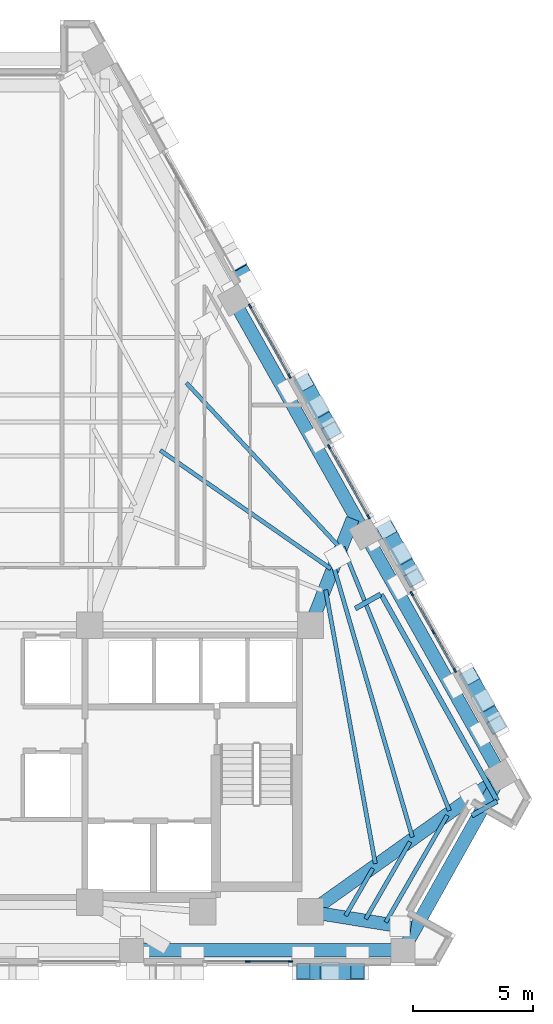
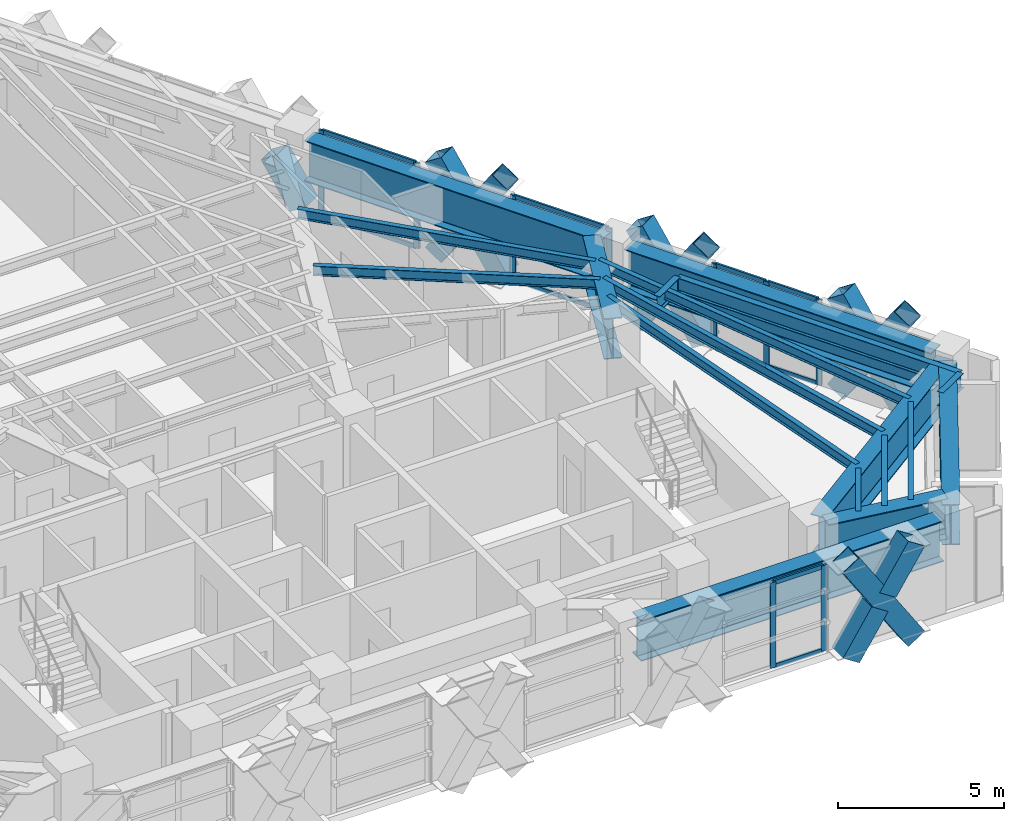
# One storey, part 4 of 13: 32 members, 18 beams, 4 elements without a shape of their own.
"""IFC4 building model written with IfcOpenShell, lengths in metres."""

from ifc_helpers import new_model, si_unit, direction, frame, origin, origin_2d, place, context, subcontext, project, spatial, rectangle, hollow_rectangle, i_section, extrude, material, material_profile, profile_set, type_object, element, aggregate, save


model = new_model("IFC4")

# Units and contexts
model_context = context("Model", 3, precision=1e-05, world=origin(), true_north=direction((0.0, 1.0)))
body_context = subcontext(model_context, "Body", "Model", "MODEL_VIEW")
ifc_project = project(units=[si_unit("LENGTHUNIT", "METRE"), si_unit("AREAUNIT", "SQUARE_METRE"), si_unit("VOLUMEUNIT", "CUBIC_METRE"), si_unit("PLANEANGLEUNIT", "RADIAN"), si_unit("MASSUNIT", "GRAM", prefix="KILO")], contexts=[model_context])

# Site, building, storey
site_placement = place(None, origin())
site = spatial("IfcSite", under=ifc_project, at=site_placement, CompositionType="ELEMENT")
building_placement = place(site_placement, origin())
building = spatial("IfcBuilding", under=site, at=building_placement, Name="Quenlor Broadcast Tower", CompositionType="ELEMENT")
storey_placement = place(building_placement, frame((0.0, 0.0, 175.5)))
storey = spatial("IfcBuildingStorey", under=building, at=storey_placement, Name="L48", CompositionType="ELEMENT", Elevation=175.5)

# Curtain wall, members
ifc_material_1 = material(Name="Architectural Terracotta and Low-E Glazing", Category="masonry")
curtain_wall_type = type_object("IfcCurtainWallType", Name="Unitised Terracotta Curtain Wall System Z3", PredefinedType="NOTDEFINED", material=ifc_material_1)
curtain_wall_1_placement = place(storey_placement, origin())
curtain_wall_1 = element("IfcCurtainWall", 1, at=curtain_wall_1_placement, inside=storey, type_object=curtain_wall_type, Name="L48 Curtain Wall CW3 (L48-SA-G1)", PredefinedType="NOTDEFINED")
ifc_material_2 = material(Name="Aluminium 6063-T6", Category="aluminium")
ifc_material_profile_1 = material_profile(ifc_material_2, rectangle(XDim=0.070068359375, YDim=0.18994140625, at=origin_2d()))
ifc_profile_set_1 = profile_set([ifc_material_profile_1], Name="Aluminium 6063-T6 MULL70x190")
member_type_1 = type_object("IfcMemberType", Name="CW3 Aluminium Mullion MULL_CW3", PredefinedType="MULLION", material=ifc_profile_set_1)
member_1_placement = place(storey_placement, frame((12.114013671875, -18.824951171875, 0.0), z_axis=(0.0, 0.0, 1.0), x_axis=(0.0, -1.0, 0.0)))
member_1 = element("IfcMember", 2, at=member_1_placement, type_object=member_type_1, Name="CW3 mullion 1", PredefinedType="MULLION", context=body_context, shape_type="SweptSolid", body=[
    extrude(rectangle(XDim=0.070068359375, YDim=0.18994140625, at=origin_2d()), origin(), (0.0, 0.0, 1.0), 3.139892578125),
])
member_2_placement = place(storey_placement, frame((10.33203125, -18.824951171875, 0.0), z_axis=(0.0, 0.0, 1.0), x_axis=(0.0, -1.0, 0.0)))
member_2 = element("IfcMember", 3, at=member_2_placement, type_object=member_type_1, Name="CW3 mullion 2", PredefinedType="MULLION", context=body_context, shape_type="SweptSolid", body=[
    extrude(rectangle(XDim=0.070068359375, YDim=0.18994140625, at=origin_2d()), origin(), (0.0, 0.0, 1.0), 3.139892578125),
])

curtain_wall_2_placement = place(storey_placement, origin())
curtain_wall_2 = element("IfcCurtainWall", 4, at=curtain_wall_2_placement, inside=storey, type_object=curtain_wall_type, Name="L48 Curtain Wall CW3 (L48-NEC-G1)", PredefinedType="NOTDEFINED")
member_3_placement = place(storey_placement, frame((17.17138671875, -3.48388671875, 0.0), z_axis=(0.0, 0.0, 1.0), x_axis=(0.871576967495, 0.490258696743, 0.0)))
member_3 = element("IfcMember", 5, at=member_3_placement, type_object=member_type_1, Name="CW3 mullion 1", PredefinedType="MULLION", context=body_context, shape_type="SweptSolid", body=[
    extrude(rectangle(XDim=0.070068359375, YDim=0.18994140625, at=origin_2d()), origin(), (0.0, 0.0, 1.0), 3.139892578125),
])
member_4_placement = place(storey_placement, frame((18.069580078125, -5.080810546875, 0.0), z_axis=(0.0, 0.0, 1.0), x_axis=(0.871576967495, 0.490258696743, 0.0)))
member_4 = element("IfcMember", 6, at=member_4_placement, type_object=member_type_1, Name="CW3 mullion 2", PredefinedType="MULLION", context=body_context, shape_type="SweptSolid", body=[
    extrude(rectangle(XDim=0.070068359375, YDim=0.18994140625, at=origin_2d()), origin(), (0.0, 0.0, 1.0), 3.139892578125),
])
member_5_placement = place(storey_placement, frame((18.9677734375, -6.677490234375, 0.0), z_axis=(0.0, 0.0, 1.0), x_axis=(0.871576967495, 0.490258696743, 0.0)))
member_5 = element("IfcMember", 7, at=member_5_placement, type_object=member_type_1, Name="CW3 mullion 3", PredefinedType="MULLION", context=body_context, shape_type="SweptSolid", body=[
    extrude(rectangle(XDim=0.070068359375, YDim=0.18994140625, at=origin_2d()), origin(), (0.0, 0.0, 1.0), 3.139892578125),
])

curtain_wall_3_placement = place(storey_placement, origin())
curtain_wall_3 = element("IfcCurtainWall", 8, at=curtain_wall_3_placement, inside=storey, type_object=curtain_wall_type, Name="L48 Curtain Wall CW3 (L48-NE-G1)", PredefinedType="NOTDEFINED")
member_6_placement = place(storey_placement, frame((10.428955078125, 8.50244140625, 0.0), z_axis=(0.0, 0.0, 1.0), x_axis=(0.871578660222, 0.490255687418, 0.0)))
member_6 = element("IfcMember", 9, at=member_6_placement, type_object=member_type_1, Name="CW3 mullion 1", PredefinedType="MULLION", context=body_context, shape_type="SweptSolid", body=[
    extrude(rectangle(XDim=0.070068359375, YDim=0.18994140625, at=origin_2d()), origin(), (0.0, 0.0, 1.0), 3.139892578125),
])
member_7_placement = place(storey_placement, frame((12.071533203125, 5.582275390625, 0.0), z_axis=(0.0, 0.0, 1.0), x_axis=(0.871578660222, 0.490255687418, 0.0)))
member_7 = element("IfcMember", 10, at=member_7_placement, type_object=member_type_1, Name="CW3 mullion 2", PredefinedType="MULLION", context=body_context, shape_type="SweptSolid", body=[
    extrude(rectangle(XDim=0.070068359375, YDim=0.18994140625, at=origin_2d()), origin(), (0.0, 0.0, 1.0), 3.139892578125),
])

curtain_wall_4_placement = place(storey_placement, origin())
curtain_wall_4 = element("IfcCurtainWall", 11, at=curtain_wall_4_placement, inside=storey, type_object=curtain_wall_type, Name="L48 Curtain Wall CW3 (L48-NE-G2)", PredefinedType="NOTDEFINED")
member_8_placement = place(storey_placement, frame((13.723388671875, 2.64599609375, 0.0), z_axis=(0.0, 0.0, 1.0), x_axis=(0.871571633105, 0.490268180048, 0.0)))
member_8 = element("IfcMember", 12, at=member_8_placement, type_object=member_type_1, Name="CW3 mullion 1", PredefinedType="MULLION", context=body_context, shape_type="SweptSolid", body=[
    extrude(rectangle(XDim=0.070068359375, YDim=0.18994140625, at=origin_2d()), origin(), (0.0, 0.0, 1.0), 3.139892578125),
])
member_9_placement = place(storey_placement, frame((15.365966796875, -0.274169921875, 0.0), z_axis=(0.0, 0.0, 1.0), x_axis=(0.871571633105, 0.490268180048, 0.0)))
member_9 = element("IfcMember", 13, at=member_9_placement, type_object=member_type_1, Name="CW3 mullion 2", PredefinedType="MULLION", context=body_context, shape_type="SweptSolid", body=[
    extrude(rectangle(XDim=0.070068359375, YDim=0.18994140625, at=origin_2d()), origin(), (0.0, 0.0, 1.0), 3.139892578125),
])

# Member
ifc_material_3 = material(Name="Aluminium 6063-T6", Category="aluminium")
ifc_material_profile_2 = material_profile(ifc_material_3, rectangle(XDim=0.070068359375, YDim=0.155029296875, at=origin_2d()))
ifc_profile_set_2 = profile_set([ifc_material_profile_2], Name="Aluminium 6063-T6 TRAN70x155")
member_type_2 = type_object("IfcMemberType", Name="CW3 Aluminium Transom TRAN_CW3", PredefinedType="USERDEFINED", material=ifc_profile_set_2)
member_10_placement = place(storey_placement, frame((12.0791015625, -18.824951171875, 0.034912109375), z_axis=(-1.0, 0.0, 0.0), x_axis=(0.0, -1.0, 0.0)))
member_10 = element("IfcMember", 14, at=member_10_placement, type_object=member_type_2, Name="CW3 transom 1.1", ObjectType="TRANSOM", PredefinedType="USERDEFINED", context=body_context, shape_type="SweptSolid", body=[
    extrude(rectangle(XDim=0.070068359375, YDim=0.155029296875, at=origin_2d()), origin(), (0.0, 0.0, 1.0), 1.712158203125),
])

member_11_placement = place(storey_placement, frame((12.0791015625, -18.824951171875, 3.10498046875), z_axis=(-1.0, 0.0, 0.0), x_axis=(0.0, -1.0, 0.0)))
member_11 = element("IfcMember", 15, at=member_11_placement, type_object=member_type_2, Name="CW3 transom 1.2", ObjectType="TRANSOM", PredefinedType="USERDEFINED", context=body_context, shape_type="SweptSolid", body=[
    extrude(rectangle(XDim=0.070068359375, YDim=0.155029296875, at=origin_2d()), origin(), (0.0, 0.0, 1.0), 1.712158203125),
])

aggregate(curtain_wall_1, [member_1, member_2, member_10, member_11])

member_12_placement = place(storey_placement, frame((17.188720703125, -3.514404296875, 0.034912109375), z_axis=(0.490188879637, -0.871616235668, 0.0), x_axis=(0.871616235668, 0.490188879637, 0.0)))
member_12 = element("IfcMember", 16, at=member_12_placement, type_object=member_type_2, Name="CW3 transom 1.1", ObjectType="TRANSOM", PredefinedType="USERDEFINED", context=body_context, shape_type="SweptSolid", body=[
    extrude(rectangle(XDim=0.070068359375, YDim=0.155029296875, at=origin_2d()), origin(), (0.0, 0.0, 1.0), 1.76220703125),
])

member_13_placement = place(storey_placement, frame((17.188720703125, -3.514404296875, 3.10498046875), z_axis=(0.490188879637, -0.871616235668, 0.0), x_axis=(0.871616235668, 0.490188879637, 0.0)))
member_13 = element("IfcMember", 17, at=member_13_placement, type_object=member_type_2, Name="CW3 transom 1.2", ObjectType="TRANSOM", PredefinedType="USERDEFINED", context=body_context, shape_type="SweptSolid", body=[
    extrude(rectangle(XDim=0.070068359375, YDim=0.155029296875, at=origin_2d()), origin(), (0.0, 0.0, 1.0), 1.76220703125),
])

member_14_placement = place(storey_placement, frame((18.0869140625, -5.111083984375, 0.034912109375), z_axis=(0.490188879637, -0.871616235668, 0.0), x_axis=(0.871616235668, 0.490188879637, 0.0)))
member_14 = element("IfcMember", 18, at=member_14_placement, type_object=member_type_2, Name="CW3 transom 2.1", ObjectType="TRANSOM", PredefinedType="USERDEFINED", context=body_context, shape_type="SweptSolid", body=[
    extrude(rectangle(XDim=0.070068359375, YDim=0.155029296875, at=origin_2d()), origin(), (0.0, 0.0, 1.0), 1.76220703125),
])

member_15_placement = place(storey_placement, frame((18.0869140625, -5.111083984375, 3.10498046875), z_axis=(0.490188879637, -0.871616235668, 0.0), x_axis=(0.871616235668, 0.490188879637, 0.0)))
member_15 = element("IfcMember", 19, at=member_15_placement, type_object=member_type_2, Name="CW3 transom 2.2", ObjectType="TRANSOM", PredefinedType="USERDEFINED", context=body_context, shape_type="SweptSolid", body=[
    extrude(rectangle(XDim=0.070068359375, YDim=0.155029296875, at=origin_2d()), origin(), (0.0, 0.0, 1.0), 1.76220703125),
])

aggregate(curtain_wall_2, [member_3, member_4, member_5, member_12, member_13, member_14, member_15])

member_16_placement = place(storey_placement, frame((10.4462890625, 8.471923828125, 0.034912109375), z_axis=(0.490236504766, -0.871589450025, 0.0), x_axis=(0.871589450025, 0.490236504766, 0.0)))
member_16 = element("IfcMember", 20, at=member_16_placement, type_object=member_type_2, Name="CW3 transom 1.1", ObjectType="TRANSOM", PredefinedType="USERDEFINED", context=body_context, shape_type="SweptSolid", body=[
    extrude(rectangle(XDim=0.070068359375, YDim=0.155029296875, at=origin_2d()), origin(), (0.0, 0.0, 1.0), 3.2802734375),
])

member_17_placement = place(storey_placement, frame((10.4462890625, 8.471923828125, 3.10498046875), z_axis=(0.490236504766, -0.871589450025, 0.0), x_axis=(0.871589450025, 0.490236504766, 0.0)))
member_17 = element("IfcMember", 21, at=member_17_placement, type_object=member_type_2, Name="CW3 transom 1.2", ObjectType="TRANSOM", PredefinedType="USERDEFINED", context=body_context, shape_type="SweptSolid", body=[
    extrude(rectangle(XDim=0.070068359375, YDim=0.155029296875, at=origin_2d()), origin(), (0.0, 0.0, 1.0), 3.2802734375),
])

aggregate(curtain_wall_3, [member_6, member_7, member_16, member_17])

member_18_placement = place(storey_placement, frame((13.740478515625, 2.615478515625, 0.034912109375), z_axis=(0.490293039863, -0.871557648731, 0.0), x_axis=(0.871557648731, 0.490293039863, 0.0)))
member_18 = element("IfcMember", 22, at=member_18_placement, type_object=member_type_2, Name="CW3 transom 1.1", ObjectType="TRANSOM", PredefinedType="USERDEFINED", context=body_context, shape_type="SweptSolid", body=[
    extrude(rectangle(XDim=0.070068359375, YDim=0.155029296875, at=origin_2d()), origin(), (0.0, 0.0, 1.0), 3.280517578125),
])

member_19_placement = place(storey_placement, frame((13.740478515625, 2.615478515625, 3.10498046875), z_axis=(0.490293039863, -0.871557648731, 0.0), x_axis=(0.871557648731, 0.490293039863, 0.0)))
member_19 = element("IfcMember", 23, at=member_19_placement, type_object=member_type_2, Name="CW3 transom 1.2", ObjectType="TRANSOM", PredefinedType="USERDEFINED", context=body_context, shape_type="SweptSolid", body=[
    extrude(rectangle(XDim=0.070068359375, YDim=0.155029296875, at=origin_2d()), origin(), (0.0, 0.0, 1.0), 3.280517578125),
])

aggregate(curtain_wall_4, [member_8, member_9, member_18, member_19])

# Members
ifc_material_4 = material(Name="Steel S355", Category="steel")
ifc_material_profile_3 = material_profile(ifc_material_4, hollow_rectangle(XDim=0.679931640625, YDim=0.679931640625, WallThickness=0.02490234375, at=origin_2d()))
ifc_profile_set_3 = profile_set([ifc_material_profile_3], Name="Steel S355 RHS680x680x25")
member_type_3 = type_object("IfcMemberType", Name="Perimeter Diagonal Lattice Brace Z3-Z4 Steel S355 RHS680x25", PredefinedType="BRACE", material=ifc_profile_set_3)
member_20_placement = place(storey_placement, frame((14.91015625, -19.219970703125, -0.1201171875), z_axis=(-0.543860340502, 0.0, 0.839175744424), x_axis=(0.0, -1.0, 0.0)))
element("IfcMember", 24, at=member_20_placement, inside=storey, type_object=member_type_3, Name="L48 Perimeter Diamond Lattice S-C1XA", PredefinedType="BRACE", context=body_context, shape_type="SweptSolid", body=[
    extrude(hollow_rectangle(XDim=0.679931640625, YDim=0.679931640625, WallThickness=0.02490234375, at=origin_2d()), origin(), (0.0, 0.0, 1.0), 4.170654296875),
])
member_21_placement = place(storey_placement, frame((12.641845703125, -19.219970703125, -0.1201171875), z_axis=(0.543786168213, 0.0, 0.839223809994), x_axis=(0.0, 1.0, 0.0)))
element("IfcMember", 25, at=member_21_placement, inside=storey, type_object=member_type_3, Name="L48 Perimeter Diamond Lattice S-C1XB1", PredefinedType="BRACE", context=body_context, shape_type="SweptSolid", body=[
    extrude(hollow_rectangle(XDim=0.679931640625, YDim=0.679931640625, WallThickness=0.02490234375, at=origin_2d()), origin(), (0.0, 0.0, 1.0), 1.83544921875),
])
member_22_placement = place(storey_placement, frame((13.912109375, -19.219970703125, 1.83984375), z_axis=(0.543846878394, 0.0, 0.839184468911), x_axis=(0.0, 1.0, 0.0)))
element("IfcMember", 26, at=member_22_placement, inside=storey, type_object=member_type_3, Name="L48 Perimeter Diamond Lattice S-C1XB2", PredefinedType="BRACE", context=body_context, shape_type="SweptSolid", body=[
    extrude(hollow_rectangle(XDim=0.679931640625, YDim=0.679931640625, WallThickness=0.02490234375, at=origin_2d()), origin(), (0.0, 0.0, 1.0), 1.835205078125),
])
member_23_placement = place(storey_placement, frame((10.361572265625, 9.428466796875, -0.1201171875), z_axis=(-0.270633624024, 0.480906307989, 0.833958370954), x_axis=(-0.871479637717, -0.49043168846, 0.0)))
element("IfcMember", 27, at=member_23_placement, inside=storey, type_object=member_type_3, Name="L48 Perimeter Diamond Lattice NE-C2XB1", PredefinedType="BRACE", context=body_context, shape_type="SweptSolid", body=[
    extrude(hollow_rectangle(XDim=0.679931640625, YDim=0.679931640625, WallThickness=0.02490234375, at=origin_2d()), origin(), (0.0, 0.0, 1.0), 1.848388671875),
])
member_24_placement = place(storey_placement, frame((12.674072265625, 5.317138671875, -0.1201171875), z_axis=(0.270556764115, -0.480963948764, 0.833950068878), x_axis=(0.871564276035, 0.49028125881, 0.0)))
element("IfcMember", 28, at=member_24_placement, inside=storey, type_object=member_type_3, Name="L48 Perimeter Diamond Lattice NE-C3XA", PredefinedType="BRACE", context=body_context, shape_type="SweptSolid", body=[
    extrude(hollow_rectangle(XDim=0.679931640625, YDim=0.679931640625, WallThickness=0.02490234375, at=origin_2d()), origin(), (0.0, 0.0, 1.0), 4.19677734375),
])
member_25_placement = place(storey_placement, frame((13.8095703125, 3.298583984375, -0.1201171875), z_axis=(-0.270633624024, 0.480906307989, 0.833958370954), x_axis=(-0.871479637717, -0.49043168846, 0.0)))
element("IfcMember", 29, at=member_25_placement, inside=storey, type_object=member_type_3, Name="L48 Perimeter Diamond Lattice NE-C3XB1", PredefinedType="BRACE", context=body_context, shape_type="SweptSolid", body=[
    extrude(hollow_rectangle(XDim=0.679931640625, YDim=0.679931640625, WallThickness=0.02490234375, at=origin_2d()), origin(), (0.0, 0.0, 1.0), 1.848388671875),
])
member_26_placement = place(storey_placement, frame((13.17431640625, 4.427978515625, 1.83837890625), z_axis=(-0.270616433058, 0.481007832697, 0.833905396938), x_axis=(-0.871537189362, -0.490329407194, 0.0)))
element("IfcMember", 30, at=member_26_placement, inside=storey, type_object=member_type_3, Name="L48 Perimeter Diamond Lattice NE-C3XB2", PredefinedType="BRACE", context=body_context, shape_type="SweptSolid", body=[
    extrude(hollow_rectangle(XDim=0.679931640625, YDim=0.679931640625, WallThickness=0.02490234375, at=origin_2d()), origin(), (0.0, 0.0, 1.0), 1.8486328125),
])
member_27_placement = place(storey_placement, frame((16.1220703125, -0.812744140625, -0.1201171875), z_axis=(0.2705491942, -0.481008661973, 0.833926735766), x_axis=(0.871589611547, 0.490236217596, 0.0)))
element("IfcMember", 31, at=member_27_placement, inside=storey, type_object=member_type_3, Name="L48 Perimeter Diamond Lattice NE-C4XA", PredefinedType="BRACE", context=body_context, shape_type="SweptSolid", body=[
    extrude(hollow_rectangle(XDim=0.679931640625, YDim=0.679931640625, WallThickness=0.02490234375, at=origin_2d()), origin(), (0.0, 0.0, 1.0), 4.197021484375),
])
member_28_placement = place(storey_placement, frame((17.257568359375, -2.83154296875, -0.1201171875), z_axis=(-0.270494026149, 0.481025021111, 0.833935195853), x_axis=(-0.871639445711, -0.490147607034, 0.0)))
element("IfcMember", 32, at=member_28_placement, inside=storey, type_object=member_type_3, Name="L48 Perimeter Diamond Lattice NE-C4XB1", PredefinedType="BRACE", context=body_context, shape_type="SweptSolid", body=[
    extrude(hollow_rectangle(XDim=0.679931640625, YDim=0.679931640625, WallThickness=0.02490234375, at=origin_2d()), origin(), (0.0, 0.0, 1.0), 1.848388671875),
])
member_29_placement = place(storey_placement, frame((16.622314453125, -1.701904296875, 1.83837890625), z_axis=(-0.270616433058, 0.481007832697, 0.833905396938), x_axis=(-0.871537189362, -0.490329407194, 0.0)))
element("IfcMember", 33, at=member_29_placement, inside=storey, type_object=member_type_3, Name="L48 Perimeter Diamond Lattice NE-C4XB2", PredefinedType="BRACE", context=body_context, shape_type="SweptSolid", body=[
    extrude(hollow_rectangle(XDim=0.679931640625, YDim=0.679931640625, WallThickness=0.02490234375, at=origin_2d()), origin(), (0.0, 0.0, 1.0), 1.8486328125),
])
member_30_placement = place(storey_placement, frame((19.5703125, -6.942626953125, -0.1201171875), z_axis=(0.2705491942, -0.481008661973, 0.833926735766), x_axis=(0.871589611547, 0.490236217596, 0.0)))
element("IfcMember", 34, at=member_30_placement, inside=storey, type_object=member_type_3, Name="L48 Perimeter Diamond Lattice NE-C5XA", PredefinedType="BRACE", context=body_context, shape_type="SweptSolid", body=[
    extrude(hollow_rectangle(XDim=0.679931640625, YDim=0.679931640625, WallThickness=0.02490234375, at=origin_2d()), origin(), (0.0, 0.0, 1.0), 4.197021484375),
])
member_31_placement = place(storey_placement, frame((20.705810546875, -8.96142578125, -0.1201171875), z_axis=(-0.270616433058, 0.481007832697, 0.833905396938), x_axis=(-0.871537189362, -0.490329407194, 0.0)))
element("IfcMember", 35, at=member_31_placement, inside=storey, type_object=member_type_3, Name="L48 Perimeter Diamond Lattice NE-C5XB1", PredefinedType="BRACE", context=body_context, shape_type="SweptSolid", body=[
    extrude(hollow_rectangle(XDim=0.679931640625, YDim=0.679931640625, WallThickness=0.02490234375, at=origin_2d()), origin(), (0.0, 0.0, 1.0), 1.8486328125),
])
member_32_placement = place(storey_placement, frame((20.0703125, -7.831787109375, 1.83837890625), z_axis=(-0.270494026149, 0.481025021111, 0.833935195853), x_axis=(-0.871639445711, -0.490147607034, 0.0)))
element("IfcMember", 36, at=member_32_placement, inside=storey, type_object=member_type_3, Name="L48 Perimeter Diamond Lattice NE-C5XB2", PredefinedType="BRACE", context=body_context, shape_type="SweptSolid", body=[
    extrude(hollow_rectangle(XDim=0.679931640625, YDim=0.679931640625, WallThickness=0.02490234375, at=origin_2d()), origin(), (0.0, 0.0, 1.0), 1.848388671875),
])

# Beams
ifc_material_5 = material(Name="Steel S355", Category="steel")
ifc_material_profile_4 = material_profile(ifc_material_5, i_section(OverallWidth=0.208984375, OverallDepth=0.532958984375, WebThickness=0.01025390625, FlangeThickness=0.015625, FilletRadius=0.013916015625, at=origin_2d()))
ifc_profile_set_4 = profile_set([ifc_material_profile_4], Name="Steel S355 530UB92.4")
beam_type_1 = type_object("IfcBeamType", Name="Perimeter Spandrel Beam Z1 Steel S355 530UB92.4", PredefinedType="SPANDREL", material=ifc_profile_set_4)
for number, where, z_axis, x_axis, name in (
    (37, (14.81640625, -4.10205078125, 2.87353515625), (0.871575537125, 0.490261239633, 0.0), (-0.490261239633, 0.871575537125, 0.0), "L48 Lattice Sill Radial Tie NEB1"),
    (38, (19.671875, -12.734375, 2.87353515625), (0.871575537125, 0.490261239633, 0.0), (-0.490261239633, 0.871575537125, 0.0), "L48 Lattice Sill Radial Tie NEB2"),
):
    element("IfcBeam", number, at=place(storey_placement, frame(where, z_axis=z_axis, x_axis=x_axis)), inside=storey, type_object=beam_type_1, Name=name, PredefinedType="SPANDREL", context=body_context, shape_type="SweptSolid", body=[
        extrude(i_section(OverallWidth=0.208984375, OverallDepth=0.532958984375, WebThickness=0.01025390625, FlangeThickness=0.015625, FilletRadius=0.013916015625, at=origin_2d()), origin(), (0.0, 0.0, 1.0), 1.210205078125),
    ])
beam_1_placement = place(storey_placement, frame((15.898193359375, -3.5166015625, 2.87353515625), z_axis=(0.490253014007, -0.871580163988, 0.0), x_axis=(0.871580163988, 0.490253014007, 0.0)))
element("IfcBeam", 39, at=beam_1_placement, inside=storey, type_object=beam_type_1, Name="L48 Lattice Sill Girder NEB", PredefinedType="SPANDREL", context=body_context, shape_type="SweptSolid", body=[
    extrude(i_section(OverallWidth=0.208984375, OverallDepth=0.532958984375, WebThickness=0.01025390625, FlangeThickness=0.015625, FilletRadius=0.013916015625, at=origin_2d()), origin(), (0.0, 0.0, 1.0), 9.8642578125),
])
ifc_material_6 = material(Name="Steel S355", Category="steel")
ifc_material_profile_5 = material_profile(ifc_material_6, i_section(OverallWidth=0.172119140625, OverallDepth=0.358642578125, WebThickness=0.008056640625, FlangeThickness=0.012939453125, FilletRadius=0.011474609375, at=origin_2d()))
ifc_profile_set_5 = profile_set([ifc_material_profile_5], Name="Steel S355 360UB56.7")
beam_type_2 = type_object("IfcBeamType", Name="Tower Composite Joist Z2-Z3 Steel S355 360UB56.7", PredefinedType="JOIST", material=ifc_profile_set_5)
beam_2_placement = place(storey_placement, frame((13.798583984375, -2.445068359375, 2.960693359375), z_axis=(-0.821376568114, 0.570386301864, 0.0), x_axis=(-0.570386301864, -0.821376568114, 0.0)))
element("IfcBeam", 40, at=beam_2_placement, inside=storey, type_object=beam_type_2, Name="L48 Secondary Composite Joist 11", PredefinedType="JOIST", context=body_context, shape_type="SweptSolid", body=[
    extrude(i_section(OverallWidth=0.172119140625, OverallDepth=0.358642578125, WebThickness=0.008056640625, FlangeThickness=0.012939453125, FilletRadius=0.011474609375, at=origin_2d()), origin(), (0.0, 0.0, 1.0), 8.661865234375),
])
beam_3_placement = place(storey_placement, frame((14.161376953125, -1.5439453125, 2.960693359375), z_axis=(-0.681865761727, 0.731477329098, 0.0), x_axis=(-0.731477329098, -0.681865761727, 0.0)))
element("IfcBeam", 41, at=beam_3_placement, inside=storey, type_object=beam_type_2, Name="L48 Secondary Composite Joist 12", PredefinedType="JOIST", context=body_context, shape_type="SweptSolid", body=[
    extrude(i_section(OverallWidth=0.172119140625, OverallDepth=0.358642578125, WebThickness=0.008056640625, FlangeThickness=0.012939453125, FilletRadius=0.011474609375, at=origin_2d()), origin(), (0.0, 0.0, 1.0), 9.36474609375),
])
beam_4_placement = place(storey_placement, frame((15.65185546875, -14.735595703125, 2.960693359375), z_axis=(-0.178674258283, 0.983908283036, 0.0), x_axis=(-0.983908283036, -0.178674258283, 0.0)))
element("IfcBeam", 42, at=beam_4_placement, inside=storey, type_object=beam_type_2, Name="L48 Secondary Composite Joist 16", PredefinedType="JOIST", context=body_context, shape_type="SweptSolid", body=[
    extrude(i_section(OverallWidth=0.172119140625, OverallDepth=0.358642578125, WebThickness=0.008056640625, FlangeThickness=0.012939453125, FilletRadius=0.011474609375, at=origin_2d()), origin(), (0.0, 0.0, 1.0), 11.597900390625),
])
beam_5_placement = place(storey_placement, frame((17.19580078125, -13.631103515625, 2.960693359375), z_axis=(-0.279253029603, 0.960217551109, 0.0), x_axis=(-0.960217551109, -0.279253029603, 0.0)))
element("IfcBeam", 43, at=beam_5_placement, inside=storey, type_object=beam_type_2, Name="L48 Secondary Composite Joist 17", PredefinedType="JOIST", context=body_context, shape_type="SweptSolid", body=[
    extrude(i_section(OverallWidth=0.172119140625, OverallDepth=0.358642578125, WebThickness=0.008056640625, FlangeThickness=0.012939453125, FilletRadius=0.011474609375, at=origin_2d()), origin(), (0.0, 0.0, 1.0), 11.660888671875),
])
beam_6_placement = place(storey_placement, frame((18.740234375, -12.527587890625, 2.960693359375), z_axis=(-0.374873206921, 0.927076091123, 0.0), x_axis=(-0.927076091123, -0.374873206921, 0.0)))
element("IfcBeam", 44, at=beam_6_placement, inside=storey, type_object=beam_type_2, Name="L48 Secondary Composite Joist 18", PredefinedType="JOIST", context=body_context, shape_type="SweptSolid", body=[
    extrude(i_section(OverallWidth=0.172119140625, OverallDepth=0.358642578125, WebThickness=0.008056640625, FlangeThickness=0.012939453125, FilletRadius=0.011474609375, at=origin_2d()), origin(), (0.0, 0.0, 1.0), 11.848388671875),
])
beam_7_placement = place(storey_placement, frame((14.412109375, -16.90966796875, 2.960693359375), z_axis=(0.499521162085, 0.866301684536, 0.0), x_axis=(-0.866301684536, 0.499521162085, 0.0)))
element("IfcBeam", 45, at=beam_7_placement, inside=storey, type_object=beam_type_2, Name="L48 Secondary Composite Joist 22", PredefinedType="JOIST", context=body_context, shape_type="SweptSolid", body=[
    extrude(i_section(OverallWidth=0.172119140625, OverallDepth=0.358642578125, WebThickness=0.008056640625, FlangeThickness=0.012939453125, FilletRadius=0.011474609375, at=origin_2d()), origin(), (0.0, 0.0, 1.0), 2.275146484375),
])
beam_8_placement = place(storey_placement, frame((15.248779296875, -17.04443359375, 2.960693359375), z_axis=(0.499503898211, 0.866311638888, 0.0), x_axis=(-0.866311638888, 0.499503898211, 0.0)))
element("IfcBeam", 46, at=beam_8_placement, inside=storey, type_object=beam_type_2, Name="L48 Secondary Composite Joist 23", PredefinedType="JOIST", context=body_context, shape_type="SweptSolid", body=[
    extrude(i_section(OverallWidth=0.172119140625, OverallDepth=0.358642578125, WebThickness=0.008056640625, FlangeThickness=0.012939453125, FilletRadius=0.011474609375, at=origin_2d()), origin(), (0.0, 0.0, 1.0), 3.707275390625),
])
beam_9_placement = place(storey_placement, frame((16.08544921875, -17.17919921875, 2.960693359375), z_axis=(0.499475700835, 0.866327896512, 0.0), x_axis=(-0.866327896512, 0.499475700835, 0.0)))
element("IfcBeam", 47, at=beam_9_placement, inside=storey, type_object=beam_type_2, Name="L48 Secondary Composite Joist 24", PredefinedType="JOIST", context=body_context, shape_type="SweptSolid", body=[
    extrude(i_section(OverallWidth=0.172119140625, OverallDepth=0.358642578125, WebThickness=0.008056640625, FlangeThickness=0.012939453125, FilletRadius=0.011474609375, at=origin_2d()), origin(), (0.0, 0.0, 1.0), 5.1396484375),
])
ifc_material_7 = material(Name="Steel S355", Category="steel")
ifc_material_profile_6 = material_profile(ifc_material_7, i_section(OverallWidth=0.550048828125, OverallDepth=1.5, WebThickness=0.02197265625, FlangeThickness=0.034912109375, FilletRadius=0.01806640625, at=origin_2d()))
ifc_profile_set_6 = profile_set([ifc_material_profile_6], Name="Steel S355 1500TG510")
beam_type_3 = type_object("IfcBeamType", Name="Zone Setback Transfer Girder Steel S355 1500", PredefinedType="BEAM", material=ifc_profile_set_6)
beam_10_placement = place(storey_placement, frame((5.89111328125, -18.35009765625, 2.389892578125), z_axis=(1.0, 0.0, 0.0), x_axis=(0.0, 1.0, 0.0)))
element("IfcBeam", 48, at=beam_10_placement, inside=storey, type_object=beam_type_3, Name="L48 Spandrel Beam S3-S4", PredefinedType="BEAM", context=body_context, shape_type="SweptSolid", body=[
    extrude(i_section(OverallWidth=0.550048828125, OverallDepth=1.5, WebThickness=0.02197265625, FlangeThickness=0.034912109375, FilletRadius=0.01806640625, at=origin_2d()), origin(), (0.0, 0.0, 1.0), 10.50732421875),
])
beam_11_placement = place(storey_placement, frame((17.008544921875, -17.9921875, 2.389892578125), z_axis=(0.488298439934, 0.872676706208, 0.0), x_axis=(-0.872676706208, 0.488298439934, 0.0)))
element("IfcBeam", 49, at=beam_11_placement, inside=storey, type_object=beam_type_3, Name="L48 Spandrel Beam S4-NE1", PredefinedType="BEAM", context=body_context, shape_type="SweptSolid", body=[
    extrude(i_section(OverallWidth=0.550048828125, OverallDepth=1.5, WebThickness=0.02197265625, FlangeThickness=0.034912109375, FilletRadius=0.01806640625, at=origin_2d()), origin(), (0.0, 0.0, 1.0), 7.5341796875),
])
beam_12_placement = place(storey_placement, frame((20.686767578125, -10.7021484375, 2.389892578125), z_axis=(-0.490257999604, 0.871577359633, 0.0), x_axis=(-0.871577359633, -0.490257999604, 0.0)))
element("IfcBeam", 50, at=beam_12_placement, inside=storey, type_object=beam_type_3, Name="L48 Spandrel Beam NE1-NE2", PredefinedType="BEAM", context=body_context, shape_type="SweptSolid", body=[
    extrude(i_section(OverallWidth=0.550048828125, OverallDepth=1.5, WebThickness=0.02197265625, FlangeThickness=0.034912109375, FilletRadius=0.01806640625, at=origin_2d()), origin(), (0.0, 0.0, 1.0), 10.732666015625),
])
beam_13_placement = place(storey_placement, frame((15.02294921875, -0.63330078125, 2.389892578125), z_axis=(-0.490252288562, 0.871580572041, 0.0), x_axis=(-0.871580572041, -0.490252288562, 0.0)))
element("IfcBeam", 51, at=beam_13_placement, inside=storey, type_object=beam_type_3, Name="L48 Spandrel Beam NE2-NE3", PredefinedType="BEAM", context=body_context, shape_type="SweptSolid", body=[
    extrude(i_section(OverallWidth=0.550048828125, OverallDepth=1.5, WebThickness=0.02197265625, FlangeThickness=0.034912109375, FilletRadius=0.01806640625, at=origin_2d()), origin(), (0.0, 0.0, 1.0), 10.359619140625),
])
beam_14_placement = place(storey_placement, frame((13.3251953125, -16.810302734375, 2.389892578125), z_axis=(0.987277366944, -0.159007549257, 0.0), x_axis=(0.159007549257, 0.987277366944, 0.0)))
element("IfcBeam", 52, at=beam_14_placement, inside=storey, type_object=beam_type_3, Name="L48 Setback Transfer Girder S4", PredefinedType="BEAM", context=body_context, shape_type="SweptSolid", body=[
    extrude(i_section(OverallWidth=0.550048828125, OverallDepth=1.5, WebThickness=0.02197265625, FlangeThickness=0.034912109375, FilletRadius=0.01806640625, at=origin_2d()), origin(), (0.0, 0.0, 1.0), 3.85693359375),
])
beam_15_placement = place(storey_placement, frame((13.259521484375, -16.529541015625, 2.389892578125), z_axis=(0.81433342054, 0.580397346817, 0.0), x_axis=(-0.580397346817, 0.81433342054, 0.0)))
element("IfcBeam", 53, at=beam_15_placement, inside=storey, type_object=beam_type_3, Name="L48 Setback Transfer Girder NE1", PredefinedType="BEAM", context=body_context, shape_type="SweptSolid", body=[
    extrude(i_section(OverallWidth=0.550048828125, OverallDepth=1.5, WebThickness=0.02197265625, FlangeThickness=0.034912109375, FilletRadius=0.01806640625, at=origin_2d()), origin(), (0.0, 0.0, 1.0), 9.1494140625),
])
beam_16_placement = place(storey_placement, frame((13.08984375, -4.44677734375, 2.389892578125), z_axis=(0.36810445899, 0.929784441293, 0.0), x_axis=(-0.929784441293, 0.36810445899, 0.0)))
element("IfcBeam", 54, at=beam_16_placement, inside=storey, type_object=beam_type_3, Name="L48 Setback Transfer Girder NE2", PredefinedType="BEAM", context=body_context, shape_type="SweptSolid", body=[
    extrude(i_section(OverallWidth=0.550048828125, OverallDepth=1.5, WebThickness=0.02197265625, FlangeThickness=0.034912109375, FilletRadius=0.01806640625, at=origin_2d()), origin(), (0.0, 0.0, 1.0), 4.396484375),
])

save(model, "model.ifc")
